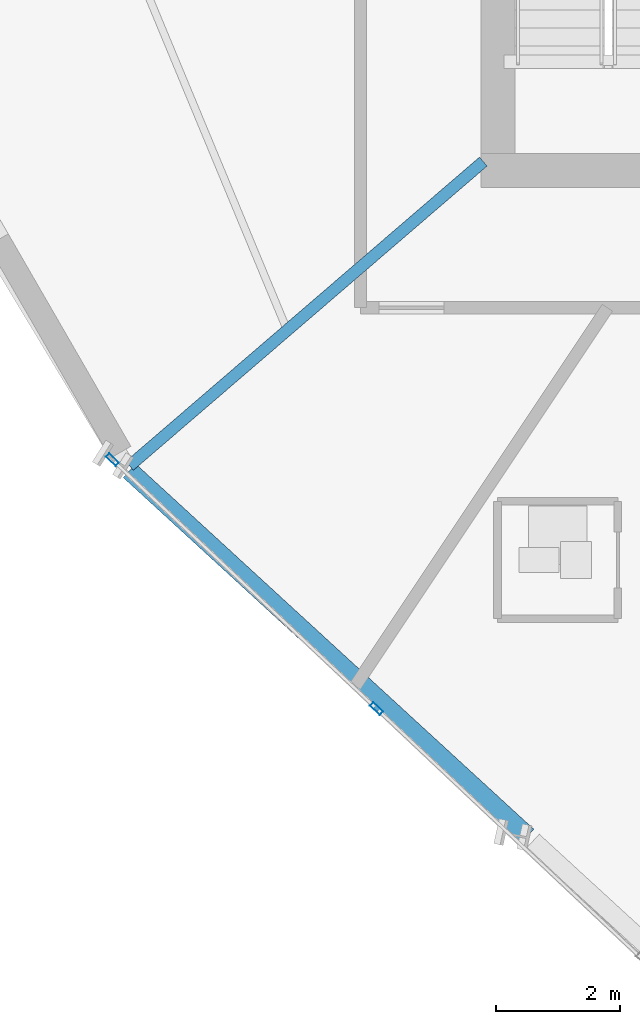
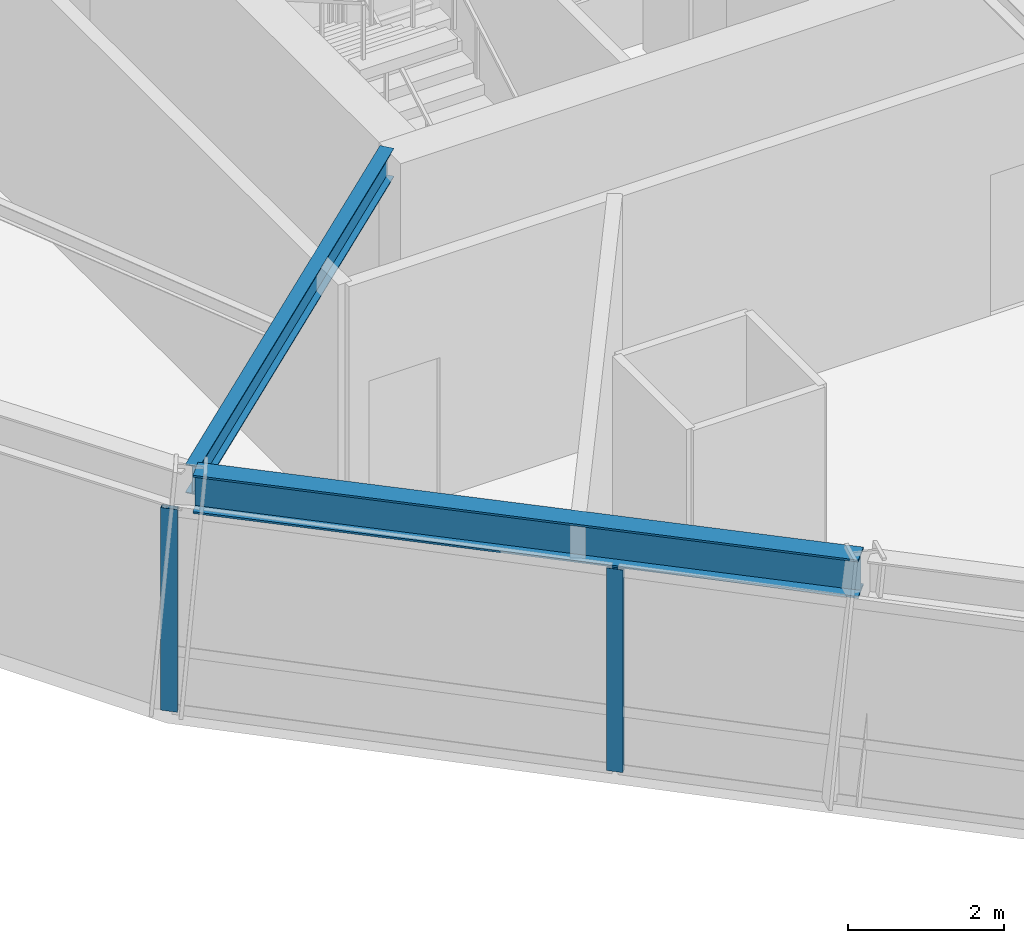
# One storey, part 2 of 14: 2 beams, 2 members, 1 element without a shape of its own.
"""IFC4 building model written with IfcOpenShell, lengths in metres."""

from ifc_helpers import new_model, si_unit, direction, frame, origin, origin_2d, place, context, subcontext, project, spatial, hollow_rectangle, i_section, extrude, source, transform, mapped, material, material_profile, profile_set, type_object, element, aggregate, save


model = new_model("IFC4")

# Units and contexts
model_context = context("Model", 3, precision=1e-05, world=origin(), true_north=direction((0.0, 1.0)))
body_context = subcontext(model_context, "Body", "Model", "MODEL_VIEW")
ifc_project = project(units=[si_unit("LENGTHUNIT", "METRE"), si_unit("AREAUNIT", "SQUARE_METRE"), si_unit("VOLUMEUNIT", "CUBIC_METRE"), si_unit("PLANEANGLEUNIT", "RADIAN"), si_unit("MASSUNIT", "GRAM", prefix="KILO")], contexts=[model_context])

# Site, building, storey
site_placement = place(None, origin())
site = spatial("IfcSite", under=ifc_project, at=site_placement, CompositionType="ELEMENT")
building_placement = place(site_placement, origin())
building = spatial("IfcBuilding", under=site, at=building_placement, Name="Olszyna Solenne Hotel", CompositionType="ELEMENT")
storey_placement = place(building_placement, frame((0.0, 0.0, 196.300048828125)))
storey = spatial("IfcBuildingStorey", under=building, at=storey_placement, Name="L52", CompositionType="ELEMENT", Elevation=196.300048828125)

# Beams
ifc_material_1 = material(Name="Steel S355J2", Category="steel")
ifc_material_profile_1 = material_profile(ifc_material_1, i_section(OverallWidth=0.300048828125, OverallDepth=0.60009765625, WebThickness=0.015380859375, FlangeThickness=0.030029296875, at=origin_2d()), Name="HEB 600", Category="load-bearing")
ifc_profile_set_1 = profile_set([ifc_material_profile_1], Name="Steel S355J2")
beam_type_1 = type_object("IfcBeamType", Name="BM-S2", PredefinedType="BEAM", material=ifc_profile_set_1)
shared_shape_1 = source(origin(), body_context, "Body", "SweptSolid", [
    extrude(i_section(OverallWidth=0.300048828125, OverallDepth=0.60009765625, WebThickness=0.015380859375, FlangeThickness=0.030029296875, at=origin_2d()), origin(), (0.0, 0.0, 1.0), 8.74462890625),
])
beam_1_placement = place(storey_placement, frame((23.860595703125, 14.361572265625, 3.47998046875), z_axis=(0.73680289694, -0.676107603168, 0.0), x_axis=(0.676107603168, 0.73680289694, 0.0)))
element("IfcBeam", 1, at=beam_1_placement, inside=storey, type_object=beam_type_1, Name="Perimeter spandrel beam BM-S2 B-L52-1544", PredefinedType="BEAM", context=body_context, shape_type="MappedRepresentation", body=[
    mapped(shared_shape_1, transform((0.0, 0.0, 0.0), x_axis=(1.0, 0.0, 0.0), y_axis=(0.0, 1.0, 0.0), z_axis=(0.0, 0.0, 1.0), scale=1.0)),
])
ifc_material_profile_2 = material_profile(ifc_material_1, i_section(OverallWidth=0.18994140625, OverallDepth=0.449951171875, WebThickness=0.009521484375, FlangeThickness=0.0146484375, at=origin_2d()), Name="IPE 450", Category="load-bearing")
ifc_profile_set_2 = profile_set([ifc_material_profile_2], Name="Steel S355J2")
beam_type_2 = type_object("IfcBeamType", Name="BM-F4", PredefinedType="BEAM", material=ifc_profile_set_2)
shared_shape_2 = source(origin(), body_context, "Body", "SweptSolid", [
    extrude(i_section(OverallWidth=0.18994140625, OverallDepth=0.449951171875, WebThickness=0.009521484375, FlangeThickness=0.0146484375, at=origin_2d()), origin(), (0.0, 0.0, 1.0), 7.552001953125),
])
beam_2_placement = place(storey_placement, frame((23.862060546875, 14.44140625, 3.554931640625), z_axis=(0.758194465798, 0.652028490201, 0.0), x_axis=(-0.652028490201, 0.758194465798, 0.0)))
element("IfcBeam", 2, at=beam_2_placement, inside=storey, type_object=beam_type_2, Name="Radial floor girder BM-F4 B-L52-1554", PredefinedType="BEAM", context=body_context, shape_type="MappedRepresentation", body=[
    mapped(shared_shape_2, transform((0.0, 0.0, 0.0), x_axis=(1.0, 0.0, 0.0), y_axis=(0.0, 1.0, 0.0), z_axis=(0.0, 0.0, 1.0), scale=1.0)),
])

# Curtain wall, members
ifc_material_2 = material(Name="Anodised bronze aluminium", Category="aluminium")
curtain_wall_type = type_object("IfcCurtainWallType", Name="CW-SYS-6", PredefinedType="NOTDEFINED", material=ifc_material_2)
curtain_wall_placement = place(storey_placement, origin())
curtain_wall = element("IfcCurtainWall", 3, at=curtain_wall_placement, inside=storey, type_object=curtain_wall_type, Name="Unitised curtain wall CW-SYS-6 CW-L52-02", PredefinedType="NOTDEFINED")
ifc_material_profile_3 = material_profile(ifc_material_2, hollow_rectangle(XDim=0.080078125, YDim=0.219970703125, WallThickness=0.0048828125, at=origin_2d()), Name="MULL 220x80x5", Category="load-bearing")
ifc_profile_set_3 = profile_set([ifc_material_profile_3], Name="Anodised bronze aluminium")
member_type = type_object("IfcMemberType", Name="CW-M1", PredefinedType="MULLION", material=ifc_profile_set_3)
shared_shape_3 = source(origin(), body_context, "Body", "SweptSolid", [
    extrude(hollow_rectangle(XDim=0.080078125, YDim=0.219970703125, WallThickness=0.0048828125, at=origin_2d()), origin(), (0.0, 0.0, 1.0), 3.171875),
])
member_1_placement = place(storey_placement, frame((23.58251953125, 14.53955078125, 0.0), z_axis=(0.0, 0.0, 1.0), x_axis=(0.685634102276, 0.727946342663, 0.0)))
member_1 = element("IfcMember", 4, at=member_1_placement, type_object=member_type, Name="Curtain-wall mullion CW-M1 CM-L52-02-01", PredefinedType="MULLION", context=body_context, shape_type="MappedRepresentation", body=[
    mapped(shared_shape_3, transform((0.0, 0.0, 0.0), x_axis=(1.0, 0.0, 0.0), y_axis=(0.0, 1.0, 0.0), z_axis=(0.0, 0.0, 1.0), scale=1.0)),
])
member_2_placement = place(storey_placement, frame((27.859619140625, 10.510986328125, 0.0), z_axis=(0.0, 0.0, 1.0), x_axis=(0.685634102276, 0.727946342663, 0.0)))
member_2 = element("IfcMember", 5, at=member_2_placement, type_object=member_type, Name="Curtain-wall mullion CW-M1 CM-L52-02-02", PredefinedType="MULLION", context=body_context, shape_type="MappedRepresentation", body=[
    mapped(shared_shape_3, transform((0.0, 0.0, 0.0), x_axis=(1.0, 0.0, 0.0), y_axis=(0.0, 1.0, 0.0), z_axis=(0.0, 0.0, 1.0), scale=1.0)),
])
aggregate(curtain_wall, [member_1, member_2])

save(model, "model.ifc")
